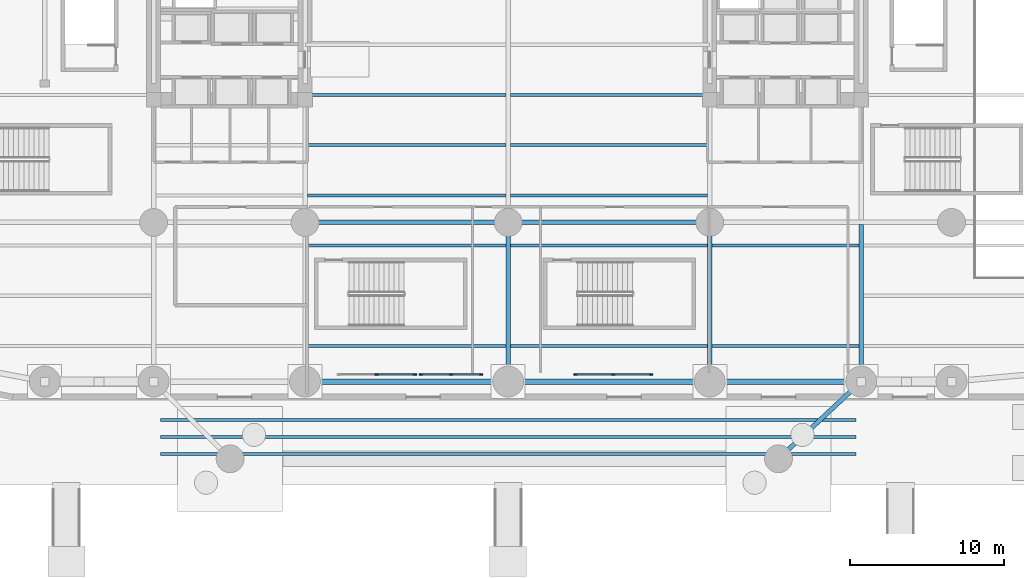
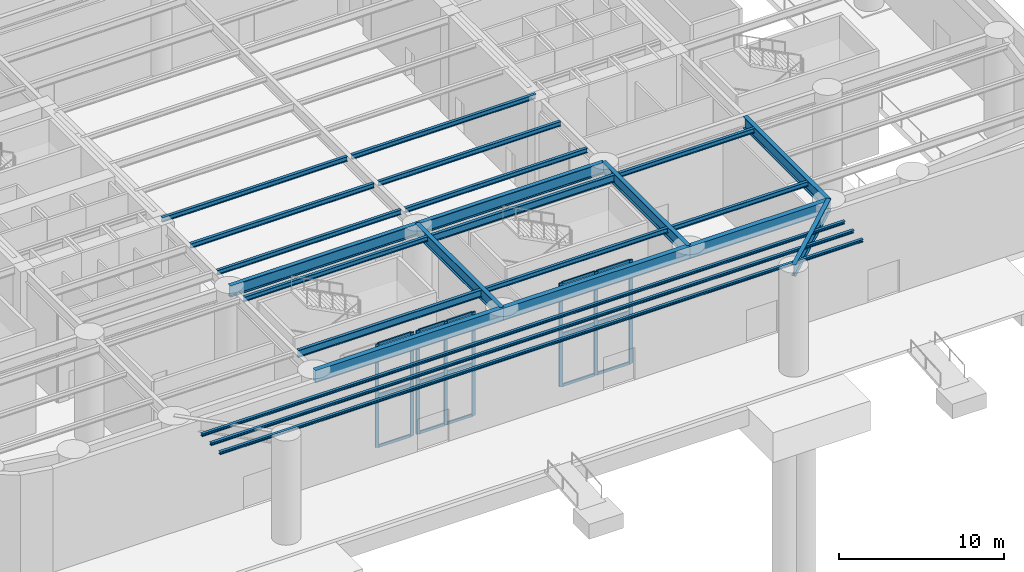
# One storey, part 3 of 25: 26 members, 21 beams, 3 elements without a shape of their own.
"""IFC4 building model written with IfcOpenShell, lengths in metres."""

from ifc_helpers import new_model, si_unit, direction, frame, origin, origin_2d, place, context, subcontext, project, spatial, rectangle, hollow_rectangle, i_section, extrude, material, material_profile, profile_set, type_object, element, aggregate, save


model = new_model("IFC4")

# Units and contexts
model_context = context("Model", 3, precision=1e-05, world=origin(), true_north=direction((0.0, 1.0)))
body_context = subcontext(model_context, "Body", "Model", "MODEL_VIEW")
ifc_project = project(units=[si_unit("LENGTHUNIT", "METRE"), si_unit("AREAUNIT", "SQUARE_METRE"), si_unit("VOLUMEUNIT", "CUBIC_METRE"), si_unit("PLANEANGLEUNIT", "RADIAN"), si_unit("MASSUNIT", "GRAM", prefix="KILO")], contexts=[model_context])

# Site, building, storey
site_placement = place(None, origin())
site = spatial("IfcSite", under=ifc_project, at=site_placement, CompositionType="ELEMENT")
building_placement = place(site_placement, origin())
building = spatial("IfcBuilding", under=site, at=building_placement, Name="Kolvaren Arena Tower", CompositionType="ELEMENT")
storey_placement = place(building_placement, origin())
storey = spatial("IfcBuildingStorey", under=building, at=storey_placement, Name="L00", CompositionType="ELEMENT", Elevation=0.0)

# Beams
ifc_material_1 = material(Name="Steel CSA G40.21 350W", Category="steel")
ifc_material_profile_1 = material_profile(ifc_material_1, i_section(OverallWidth=0.2119140625, OverallDepth=0.54296875, WebThickness=0.01318359375, FlangeThickness=0.0244140625, FilletRadius=0.013916015625, at=origin_2d()), Name="W530x150")
ifc_profile_set_1 = profile_set([ifc_material_profile_1], Name="Steel CSA G40.21 350W")
beam_type_1 = type_object("IfcBeamType", Name="BEAM-F1", PredefinedType="BEAM", material=ifc_profile_set_1)
beam_1_placement = place(storey_placement, frame((24.49609375, 3.5, 7.37841796875), z_axis=(1.0, 0.0, 0.0), x_axis=(0.0, 1.0, 0.0)))
element("IfcBeam", 1, at=beam_1_placement, inside=storey, type_object=beam_type_1, Name="Composite Floor Beam (L00)", PredefinedType="BEAM", context=body_context, shape_type="SweptSolid", body=[
    extrude(i_section(OverallWidth=0.2119140625, OverallDepth=0.54296875, WebThickness=0.01318359375, FlangeThickness=0.0244140625, FilletRadius=0.013916015625, at=origin_2d()), origin(), (0.0, 0.0, 1.0), 12.85791015625),
])
beam_2_placement = place(storey_placement, frame((37.64599609375, 10.0, 7.37841796875), z_axis=(1.0, 0.0, 0.0), x_axis=(0.0, 1.0, 0.0)))
element("IfcBeam", 2, at=beam_2_placement, inside=storey, type_object=beam_type_1, Name="Composite Floor Beam (L00)", PredefinedType="BEAM", context=body_context, shape_type="SweptSolid", body=[
    extrude(i_section(OverallWidth=0.2119140625, OverallDepth=0.54296875, WebThickness=0.01318359375, FlangeThickness=0.0244140625, FilletRadius=0.013916015625, at=origin_2d()), origin(), (0.0, 0.0, 1.0), 12.758056640625),
])

# Curtain wall, members
ifc_material_2 = material(Name="Anodised aluminium unitised curtain wall", Category="aluminium")
curtain_wall_type = type_object("IfcCurtainWallType", Name="CW-SYS-01", PredefinedType="USERDEFINED", material=ifc_material_2)
curtain_wall_1_placement = place(storey_placement, origin())
curtain_wall_1 = element("IfcCurtainWall", 3, at=curtain_wall_1_placement, inside=storey, type_object=curtain_wall_type, Name="Ground Concourse Unitised Curtain Wall (L00)", ObjectType="UNITISED CURTAIN WALL", PredefinedType="USERDEFINED")
ifc_material_3 = material(Name="Anodised aluminium 6063-T6", Category="aluminium")
ifc_material_profile_2 = material_profile(ifc_material_3, rectangle(XDim=0.10009765625, YDim=0.239990234375, at=origin_2d()), Name="ALU-100x240")
ifc_profile_set_2 = profile_set([ifc_material_profile_2], Name="Anodised aluminium 6063-T6")
member_type_1 = type_object("IfcMemberType", Name="CWM-HVY", PredefinedType="MULLION", material=ifc_profile_set_2)
member_1_placement = place(storey_placement, frame((29.0, 1.64990234375, 0.0), z_axis=(0.0, 0.0, 1.0), x_axis=(0.0, 1.0, 0.0)))
member_1 = element("IfcMember", 4, at=member_1_placement, type_object=member_type_1, Name="CW1 mullion 2", PredefinedType="MULLION", context=body_context, shape_type="SweptSolid", body=[
    extrude(rectangle(XDim=0.10009765625, YDim=0.239990234375, at=origin_2d()), origin(), (0.0, 0.0, 1.0), 7.64990234375),
])
member_2_placement = place(storey_placement, frame((31.449951171875, 1.64990234375, 0.0), z_axis=(0.0, 0.0, 1.0), x_axis=(0.0, 1.0, 0.0)))
member_2 = element("IfcMember", 5, at=member_2_placement, type_object=member_type_1, Name="CW1 mullion 3", PredefinedType="MULLION", context=body_context, shape_type="SweptSolid", body=[
    extrude(rectangle(XDim=0.10009765625, YDim=0.239990234375, at=origin_2d()), origin(), (0.0, 0.0, 1.0), 7.64990234375),
])

curtain_wall_2_placement = place(storey_placement, origin())
curtain_wall_2 = element("IfcCurtainWall", 6, at=curtain_wall_2_placement, inside=storey, type_object=curtain_wall_type, Name="Ground Concourse Unitised Curtain Wall (L00)", ObjectType="UNITISED CURTAIN WALL", PredefinedType="USERDEFINED")
member_3_placement = place(storey_placement, frame((31.85009765625, 1.64990234375, 0.0), z_axis=(0.0, 0.0, 1.0), x_axis=(0.0, 1.0, 0.0)))
member_3 = element("IfcMember", 7, at=member_3_placement, type_object=member_type_1, Name="CW1 mullion 1", PredefinedType="MULLION", context=body_context, shape_type="SweptSolid", body=[
    extrude(rectangle(XDim=0.10009765625, YDim=0.239990234375, at=origin_2d()), origin(), (0.0, 0.0, 1.0), 7.64990234375),
])
member_4_placement = place(storey_placement, frame((33.800048828125, 1.64990234375, 0.0), z_axis=(0.0, 0.0, 1.0), x_axis=(0.0, 1.0, 0.0)))
member_4 = element("IfcMember", 8, at=member_4_placement, type_object=member_type_1, Name="CW1 mullion 2", PredefinedType="MULLION", context=body_context, shape_type="SweptSolid", body=[
    extrude(rectangle(XDim=0.10009765625, YDim=0.239990234375, at=origin_2d()), origin(), (0.0, 0.0, 1.0), 7.64990234375),
])
member_5_placement = place(storey_placement, frame((35.75, 1.64990234375, 0.0), z_axis=(0.0, 0.0, 1.0), x_axis=(0.0, 1.0, 0.0)))
member_5 = element("IfcMember", 9, at=member_5_placement, type_object=member_type_1, Name="CW1 mullion 3", PredefinedType="MULLION", context=body_context, shape_type="SweptSolid", body=[
    extrude(rectangle(XDim=0.10009765625, YDim=0.239990234375, at=origin_2d()), origin(), (0.0, 0.0, 1.0), 7.64990234375),
])

curtain_wall_3_placement = place(storey_placement, origin())
curtain_wall_3 = element("IfcCurtainWall", 10, at=curtain_wall_3_placement, inside=storey, type_object=curtain_wall_type, Name="Ground Concourse Unitised Curtain Wall (L00)", ObjectType="UNITISED CURTAIN WALL", PredefinedType="USERDEFINED")
member_6_placement = place(storey_placement, frame((41.85009765625, 1.64990234375, 0.0), z_axis=(0.0, 0.0, 1.0), x_axis=(0.0, 1.0, 0.0)))
member_6 = element("IfcMember", 11, at=member_6_placement, type_object=member_type_1, Name="CW1 mullion 1", PredefinedType="MULLION", context=body_context, shape_type="SweptSolid", body=[
    extrude(rectangle(XDim=0.10009765625, YDim=0.239990234375, at=origin_2d()), origin(), (0.0, 0.0, 1.0), 7.64990234375),
])
member_7_placement = place(storey_placement, frame((44.300048828125, 1.64990234375, 0.0), z_axis=(0.0, 0.0, 1.0), x_axis=(0.0, 1.0, 0.0)))
member_7 = element("IfcMember", 12, at=member_7_placement, type_object=member_type_1, Name="CW1 mullion 2", PredefinedType="MULLION", context=body_context, shape_type="SweptSolid", body=[
    extrude(rectangle(XDim=0.10009765625, YDim=0.239990234375, at=origin_2d()), origin(), (0.0, 0.0, 1.0), 7.64990234375),
])
member_8_placement = place(storey_placement, frame((46.75, 1.64990234375, 0.0), z_axis=(0.0, 0.0, 1.0), x_axis=(0.0, 1.0, 0.0)))
member_8 = element("IfcMember", 13, at=member_8_placement, type_object=member_type_1, Name="CW1 mullion 3", PredefinedType="MULLION", context=body_context, shape_type="SweptSolid", body=[
    extrude(rectangle(XDim=0.10009765625, YDim=0.239990234375, at=origin_2d()), origin(), (0.0, 0.0, 1.0), 7.64990234375),
])

# Member
ifc_material_profile_3 = material_profile(ifc_material_3, rectangle(XDim=0.10009765625, YDim=0.199951171875, at=origin_2d()), Name="ALU-100x200")
ifc_profile_set_3 = profile_set([ifc_material_profile_3], Name="Anodised aluminium 6063-T6")
member_type_2 = type_object("IfcMemberType", Name="CWT-HVY", PredefinedType="USERDEFINED", material=ifc_profile_set_3)
member_9_placement = place(storey_placement, frame((29.050048828125, 1.64990234375, 0.050048828125), z_axis=(1.0, 0.0, 0.0), x_axis=(0.0, 1.0, 0.0)))
member_9 = element("IfcMember", 14, at=member_9_placement, type_object=member_type_2, Name="CW1 transom 2.1", ObjectType="TRANSOM", PredefinedType="USERDEFINED", context=body_context, shape_type="SweptSolid", body=[
    extrude(rectangle(XDim=0.10009765625, YDim=0.199951171875, at=origin_2d()), origin(), (0.0, 0.0, 1.0), 2.349853515625),
])

member_10_placement = place(storey_placement, frame((29.050048828125, 1.64990234375, 3.824951171875), z_axis=(1.0, 0.0, 0.0), x_axis=(0.0, 1.0, 0.0)))
member_10 = element("IfcMember", 15, at=member_10_placement, type_object=member_type_2, Name="CW1 transom 2.2", ObjectType="TRANSOM", PredefinedType="USERDEFINED", context=body_context, shape_type="SweptSolid", body=[
    extrude(rectangle(XDim=0.10009765625, YDim=0.199951171875, at=origin_2d()), origin(), (0.0, 0.0, 1.0), 2.349853515625),
])

member_11_placement = place(storey_placement, frame((29.050048828125, 1.64990234375, 7.60009765625), z_axis=(1.0, 0.0, 0.0), x_axis=(0.0, 1.0, 0.0)))
member_11 = element("IfcMember", 16, at=member_11_placement, type_object=member_type_2, Name="CW1 transom 2.3", ObjectType="TRANSOM", PredefinedType="USERDEFINED", context=body_context, shape_type="SweptSolid", body=[
    extrude(rectangle(XDim=0.10009765625, YDim=0.199951171875, at=origin_2d()), origin(), (0.0, 0.0, 1.0), 2.349853515625),
])

aggregate(curtain_wall_1, [member_1, member_2, member_9, member_10, member_11])

member_12_placement = place(storey_placement, frame((31.89990234375, 1.64990234375, 0.050048828125), z_axis=(1.0, 0.0, 0.0), x_axis=(0.0, 1.0, 0.0)))
member_12 = element("IfcMember", 17, at=member_12_placement, type_object=member_type_2, Name="CW1 transom 1.1", ObjectType="TRANSOM", PredefinedType="USERDEFINED", context=body_context, shape_type="SweptSolid", body=[
    extrude(rectangle(XDim=0.10009765625, YDim=0.199951171875, at=origin_2d()), origin(), (0.0, 0.0, 1.0), 1.85009765625),
])

member_13_placement = place(storey_placement, frame((31.89990234375, 1.64990234375, 3.824951171875), z_axis=(1.0, 0.0, 0.0), x_axis=(0.0, 1.0, 0.0)))
member_13 = element("IfcMember", 18, at=member_13_placement, type_object=member_type_2, Name="CW1 transom 1.2", ObjectType="TRANSOM", PredefinedType="USERDEFINED", context=body_context, shape_type="SweptSolid", body=[
    extrude(rectangle(XDim=0.10009765625, YDim=0.199951171875, at=origin_2d()), origin(), (0.0, 0.0, 1.0), 1.85009765625),
])

member_14_placement = place(storey_placement, frame((31.89990234375, 1.64990234375, 7.60009765625), z_axis=(1.0, 0.0, 0.0), x_axis=(0.0, 1.0, 0.0)))
member_14 = element("IfcMember", 19, at=member_14_placement, type_object=member_type_2, Name="CW1 transom 1.3", ObjectType="TRANSOM", PredefinedType="USERDEFINED", context=body_context, shape_type="SweptSolid", body=[
    extrude(rectangle(XDim=0.10009765625, YDim=0.199951171875, at=origin_2d()), origin(), (0.0, 0.0, 1.0), 1.85009765625),
])

member_15_placement = place(storey_placement, frame((33.85009765625, 1.64990234375, 0.050048828125), z_axis=(1.0, 0.0, 0.0), x_axis=(0.0, 1.0, 0.0)))
member_15 = element("IfcMember", 20, at=member_15_placement, type_object=member_type_2, Name="CW1 transom 2.1", ObjectType="TRANSOM", PredefinedType="USERDEFINED", context=body_context, shape_type="SweptSolid", body=[
    extrude(rectangle(XDim=0.10009765625, YDim=0.199951171875, at=origin_2d()), origin(), (0.0, 0.0, 1.0), 1.849853515625),
])

member_16_placement = place(storey_placement, frame((33.85009765625, 1.64990234375, 3.824951171875), z_axis=(1.0, 0.0, 0.0), x_axis=(0.0, 1.0, 0.0)))
member_16 = element("IfcMember", 21, at=member_16_placement, type_object=member_type_2, Name="CW1 transom 2.2", ObjectType="TRANSOM", PredefinedType="USERDEFINED", context=body_context, shape_type="SweptSolid", body=[
    extrude(rectangle(XDim=0.10009765625, YDim=0.199951171875, at=origin_2d()), origin(), (0.0, 0.0, 1.0), 1.849853515625),
])

member_17_placement = place(storey_placement, frame((33.85009765625, 1.64990234375, 7.60009765625), z_axis=(1.0, 0.0, 0.0), x_axis=(0.0, 1.0, 0.0)))
member_17 = element("IfcMember", 22, at=member_17_placement, type_object=member_type_2, Name="CW1 transom 2.3", ObjectType="TRANSOM", PredefinedType="USERDEFINED", context=body_context, shape_type="SweptSolid", body=[
    extrude(rectangle(XDim=0.10009765625, YDim=0.199951171875, at=origin_2d()), origin(), (0.0, 0.0, 1.0), 1.849853515625),
])

aggregate(curtain_wall_2, [member_3, member_4, member_5, member_12, member_13, member_14, member_15, member_16, member_17])

member_18_placement = place(storey_placement, frame((41.89990234375, 1.64990234375, 0.050048828125), z_axis=(1.0, 0.0, 0.0), x_axis=(0.0, 1.0, 0.0)))
member_18 = element("IfcMember", 23, at=member_18_placement, type_object=member_type_2, Name="CW1 transom 1.1", ObjectType="TRANSOM", PredefinedType="USERDEFINED", context=body_context, shape_type="SweptSolid", body=[
    extrude(rectangle(XDim=0.10009765625, YDim=0.199951171875, at=origin_2d()), origin(), (0.0, 0.0, 1.0), 2.35009765625),
])

member_19_placement = place(storey_placement, frame((41.89990234375, 1.64990234375, 3.824951171875), z_axis=(1.0, 0.0, 0.0), x_axis=(0.0, 1.0, 0.0)))
member_19 = element("IfcMember", 24, at=member_19_placement, type_object=member_type_2, Name="CW1 transom 1.2", ObjectType="TRANSOM", PredefinedType="USERDEFINED", context=body_context, shape_type="SweptSolid", body=[
    extrude(rectangle(XDim=0.10009765625, YDim=0.199951171875, at=origin_2d()), origin(), (0.0, 0.0, 1.0), 2.35009765625),
])

member_20_placement = place(storey_placement, frame((41.89990234375, 1.64990234375, 7.60009765625), z_axis=(1.0, 0.0, 0.0), x_axis=(0.0, 1.0, 0.0)))
member_20 = element("IfcMember", 25, at=member_20_placement, type_object=member_type_2, Name="CW1 transom 1.3", ObjectType="TRANSOM", PredefinedType="USERDEFINED", context=body_context, shape_type="SweptSolid", body=[
    extrude(rectangle(XDim=0.10009765625, YDim=0.199951171875, at=origin_2d()), origin(), (0.0, 0.0, 1.0), 2.35009765625),
])

member_21_placement = place(storey_placement, frame((44.35009765625, 1.64990234375, 0.050048828125), z_axis=(1.0, 0.0, 0.0), x_axis=(0.0, 1.0, 0.0)))
member_21 = element("IfcMember", 26, at=member_21_placement, type_object=member_type_2, Name="CW1 transom 2.1", ObjectType="TRANSOM", PredefinedType="USERDEFINED", context=body_context, shape_type="SweptSolid", body=[
    extrude(rectangle(XDim=0.10009765625, YDim=0.199951171875, at=origin_2d()), origin(), (0.0, 0.0, 1.0), 2.349853515625),
])

member_22_placement = place(storey_placement, frame((44.35009765625, 1.64990234375, 3.824951171875), z_axis=(1.0, 0.0, 0.0), x_axis=(0.0, 1.0, 0.0)))
member_22 = element("IfcMember", 27, at=member_22_placement, type_object=member_type_2, Name="CW1 transom 2.2", ObjectType="TRANSOM", PredefinedType="USERDEFINED", context=body_context, shape_type="SweptSolid", body=[
    extrude(rectangle(XDim=0.10009765625, YDim=0.199951171875, at=origin_2d()), origin(), (0.0, 0.0, 1.0), 2.349853515625),
])

member_23_placement = place(storey_placement, frame((44.35009765625, 1.64990234375, 7.60009765625), z_axis=(1.0, 0.0, 0.0), x_axis=(0.0, 1.0, 0.0)))
member_23 = element("IfcMember", 28, at=member_23_placement, type_object=member_type_2, Name="CW1 transom 2.3", ObjectType="TRANSOM", PredefinedType="USERDEFINED", context=body_context, shape_type="SweptSolid", body=[
    extrude(rectangle(XDim=0.10009765625, YDim=0.199951171875, at=origin_2d()), origin(), (0.0, 0.0, 1.0), 2.349853515625),
])

aggregate(curtain_wall_3, [member_6, member_7, member_8, member_18, member_19, member_20, member_21, member_22, member_23])

# Beams
ifc_material_profile_4 = material_profile(ifc_material_1, i_section(OverallWidth=0.2919921875, OverallDepth=0.85498046875, WebThickness=0.02099609375, FlangeThickness=0.03564453125, FilletRadius=0.01806640625, at=origin_2d()), Name="W840x299")
ifc_profile_set_4 = profile_set([ifc_material_profile_4], Name="Steel CSA G40.21 350W")
beam_type_2 = type_object("IfcBeamType", Name="GIRD-P1", PredefinedType="BEAM", material=ifc_profile_set_4)
beam_3_placement = place(storey_placement, frame((55.0, -3.800048828125, 7.2724609375), z_axis=(0.730607201925, 0.682798005632, 0.0), x_axis=(-0.682798005632, 0.730607201925, 0.0)))
element("IfcBeam", 29, at=beam_3_placement, inside=storey, type_object=beam_type_2, Name="Plaza Colonnade Tie Girder PF-S2", PredefinedType="BEAM", context=body_context, shape_type="SweptSolid", body=[
    extrude(i_section(OverallWidth=0.2919921875, OverallDepth=0.85498046875, WebThickness=0.02099609375, FlangeThickness=0.03564453125, FilletRadius=0.01806640625, at=origin_2d()), origin(), (0.0, 0.0, 1.0), 7.32275390625),
])
beam_4_placement = place(storey_placement, frame((24.35009765625, 11.5, 7.222412109375), z_axis=(1.0, 0.0, 0.0), x_axis=(0.0, 1.0, 0.0)))
element("IfcBeam", 30, at=beam_4_placement, inside=storey, type_object=beam_type_2, Name="Primary Floor Girder (L00)", PredefinedType="BEAM", context=body_context, shape_type="SweptSolid", body=[
    extrude(i_section(OverallWidth=0.2919921875, OverallDepth=0.85498046875, WebThickness=0.02099609375, FlangeThickness=0.03564453125, FilletRadius=0.01806640625, at=origin_2d()), origin(), (0.0, 0.0, 1.0), 13.14990234375),
])
beam_5_placement = place(storey_placement, frame((37.5, 11.5, 7.222412109375), z_axis=(1.0, 0.0, 0.0), x_axis=(0.0, 1.0, 0.0)))
element("IfcBeam", 31, at=beam_5_placement, inside=storey, type_object=beam_type_2, Name="Primary Floor Girder (L00)", PredefinedType="BEAM", context=body_context, shape_type="SweptSolid", body=[
    extrude(i_section(OverallWidth=0.2919921875, OverallDepth=0.85498046875, WebThickness=0.02099609375, FlangeThickness=0.03564453125, FilletRadius=0.01806640625, at=origin_2d()), origin(), (0.0, 0.0, 1.0), 13.050048828125),
])
for number, where, z_axis, x_axis, name in (
    (32, (37.5, 1.199951171875, 7.222412109375), (0.0, 1.0, 0.0), (-1.0, 0.0, 0.0), "Primary Floor Girder (L00)"),
    (33, (50.550048828125, 1.199951171875, 7.222412109375), (0.0, 1.0, 0.0), (-1.0, 0.0, 0.0), "Primary Floor Girder (L00)"),
):
    element("IfcBeam", number, at=place(storey_placement, frame(where, z_axis=z_axis, x_axis=x_axis)), inside=storey, type_object=beam_type_2, Name=name, PredefinedType="BEAM", context=body_context, shape_type="SweptSolid", body=[
        extrude(i_section(OverallWidth=0.2919921875, OverallDepth=0.85498046875, WebThickness=0.02099609375, FlangeThickness=0.03564453125, FilletRadius=0.01806640625, at=origin_2d()), origin(), (0.0, 0.0, 1.0), 10.300048828125),
    ])
beam_6_placement = place(storey_placement, frame((60.35009765625, 1.199951171875, 7.222412109375), z_axis=(0.0, 1.0, 0.0), x_axis=(-1.0, 0.0, 0.0)))
element("IfcBeam", 34, at=beam_6_placement, inside=storey, type_object=beam_type_2, Name="Primary Floor Girder (L00)", PredefinedType="BEAM", context=body_context, shape_type="SweptSolid", body=[
    extrude(i_section(OverallWidth=0.2919921875, OverallDepth=0.85498046875, WebThickness=0.02099609375, FlangeThickness=0.03564453125, FilletRadius=0.01806640625, at=origin_2d()), origin(), (0.0, 0.0, 1.0), 10.154052734375),
])
ifc_material_profile_5 = material_profile(ifc_material_1, i_section(OverallWidth=0.202880859375, OverallDepth=0.346923828125, WebThickness=0.0078125, FlangeThickness=0.013427734375, FilletRadius=0.010986328125, at=origin_2d()), Name="W360x64")
ifc_profile_set_5 = profile_set([ifc_material_profile_5], Name="Steel CSA G40.21 350W")
beam_type_3 = type_object("IfcBeamType", Name="JOIST-01", PredefinedType="JOIST", material=ifc_profile_set_5)
beam_7_placement = place(storey_placement, frame((37.64599609375, 3.5, 7.4765625), z_axis=(1.0, 0.0, 0.0), x_axis=(0.0, 1.0, 0.0)))
element("IfcBeam", 35, at=beam_7_placement, inside=storey, type_object=beam_type_3, Name="Composite Floor Joist (L00)", PredefinedType="JOIST", context=body_context, shape_type="SweptSolid", body=[
    extrude(i_section(OverallWidth=0.202880859375, OverallDepth=0.346923828125, WebThickness=0.0078125, FlangeThickness=0.013427734375, FilletRadius=0.010986328125, at=origin_2d()), origin(), (0.0, 0.0, 1.0), 12.758056640625),
])
beam_8_placement = place(storey_placement, frame((50.696044921875, 3.5, 7.4765625), z_axis=(1.0, 0.0, 0.0), x_axis=(0.0, 1.0, 0.0)))
element("IfcBeam", 36, at=beam_8_placement, inside=storey, type_object=beam_type_3, Name="Composite Floor Joist (L00)", PredefinedType="JOIST", context=body_context, shape_type="SweptSolid", body=[
    extrude(i_section(OverallWidth=0.202880859375, OverallDepth=0.346923828125, WebThickness=0.0078125, FlangeThickness=0.013427734375, FilletRadius=0.010986328125, at=origin_2d()), origin(), (0.0, 0.0, 1.0), 9.508056640625),
])
beam_9_placement = place(storey_placement, frame((24.49609375, 10.0, 7.4765625), z_axis=(1.0, 0.0, 0.0), x_axis=(0.0, 1.0, 0.0)))
element("IfcBeam", 37, at=beam_9_placement, inside=storey, type_object=beam_type_3, Name="Composite Floor Joist (L00)", PredefinedType="JOIST", context=body_context, shape_type="SweptSolid", body=[
    extrude(i_section(OverallWidth=0.202880859375, OverallDepth=0.346923828125, WebThickness=0.0078125, FlangeThickness=0.013427734375, FilletRadius=0.010986328125, at=origin_2d()), origin(), (0.0, 0.0, 1.0), 12.85791015625),
])
beam_10_placement = place(storey_placement, frame((50.696044921875, 10.0, 7.4765625), z_axis=(1.0, 0.0, 0.0), x_axis=(0.0, 1.0, 0.0)))
element("IfcBeam", 38, at=beam_10_placement, inside=storey, type_object=beam_type_3, Name="Composite Floor Joist (L00)", PredefinedType="JOIST", context=body_context, shape_type="SweptSolid", body=[
    extrude(i_section(OverallWidth=0.202880859375, OverallDepth=0.346923828125, WebThickness=0.0078125, FlangeThickness=0.013427734375, FilletRadius=0.010986328125, at=origin_2d()), origin(), (0.0, 0.0, 1.0), 9.508056640625),
])
beam_11_placement = place(storey_placement, frame((24.49609375, 13.25, 7.4765625), z_axis=(1.0, 0.0, 0.0), x_axis=(0.0, 1.0, 0.0)))
element("IfcBeam", 39, at=beam_11_placement, inside=storey, type_object=beam_type_3, Name="Composite Floor Joist (L00)", PredefinedType="JOIST", context=body_context, shape_type="SweptSolid", body=[
    extrude(i_section(OverallWidth=0.202880859375, OverallDepth=0.346923828125, WebThickness=0.0078125, FlangeThickness=0.013427734375, FilletRadius=0.010986328125, at=origin_2d()), origin(), (0.0, 0.0, 1.0), 12.85791015625),
])
beam_12_placement = place(storey_placement, frame((37.64599609375, 13.25, 7.4765625), z_axis=(1.0, 0.0, 0.0), x_axis=(0.0, 1.0, 0.0)))
element("IfcBeam", 40, at=beam_12_placement, inside=storey, type_object=beam_type_3, Name="Composite Floor Joist (L00)", PredefinedType="JOIST", context=body_context, shape_type="SweptSolid", body=[
    extrude(i_section(OverallWidth=0.202880859375, OverallDepth=0.346923828125, WebThickness=0.0078125, FlangeThickness=0.013427734375, FilletRadius=0.010986328125, at=origin_2d()), origin(), (0.0, 0.0, 1.0), 12.758056640625),
])
beam_13_placement = place(storey_placement, frame((24.49609375, 16.5, 7.4765625), z_axis=(1.0, 0.0, 0.0), x_axis=(0.0, 1.0, 0.0)))
element("IfcBeam", 41, at=beam_13_placement, inside=storey, type_object=beam_type_3, Name="Composite Floor Joist (L00)", PredefinedType="JOIST", context=body_context, shape_type="SweptSolid", body=[
    extrude(i_section(OverallWidth=0.202880859375, OverallDepth=0.346923828125, WebThickness=0.0078125, FlangeThickness=0.013427734375, FilletRadius=0.010986328125, at=origin_2d()), origin(), (0.0, 0.0, 1.0), 12.85791015625),
])
beam_14_placement = place(storey_placement, frame((37.64599609375, 16.5, 7.4765625), z_axis=(1.0, 0.0, 0.0), x_axis=(0.0, 1.0, 0.0)))
element("IfcBeam", 42, at=beam_14_placement, inside=storey, type_object=beam_type_3, Name="Composite Floor Joist (L00)", PredefinedType="JOIST", context=body_context, shape_type="SweptSolid", body=[
    extrude(i_section(OverallWidth=0.202880859375, OverallDepth=0.346923828125, WebThickness=0.0078125, FlangeThickness=0.013427734375, FilletRadius=0.010986328125, at=origin_2d()), origin(), (0.0, 0.0, 1.0), 12.758056640625),
])
beam_15_placement = place(storey_placement, frame((24.3701171875, 19.75, 7.4765625), z_axis=(1.0, 0.0, 0.0), x_axis=(0.0, 1.0, 0.0)))
element("IfcBeam", 43, at=beam_15_placement, inside=storey, type_object=beam_type_3, Name="Composite Floor Joist (L00)", PredefinedType="JOIST", context=body_context, shape_type="SweptSolid", body=[
    extrude(i_section(OverallWidth=0.202880859375, OverallDepth=0.346923828125, WebThickness=0.0078125, FlangeThickness=0.013427734375, FilletRadius=0.010986328125, at=origin_2d()), origin(), (0.0, 0.0, 1.0), 12.98388671875),
])
beam_16_placement = place(storey_placement, frame((37.64599609375, 19.75, 7.4765625), z_axis=(1.0, 0.0, 0.0), x_axis=(0.0, 1.0, 0.0)))
element("IfcBeam", 44, at=beam_16_placement, inside=storey, type_object=beam_type_3, Name="Composite Floor Joist (L00)", PredefinedType="JOIST", context=body_context, shape_type="SweptSolid", body=[
    extrude(i_section(OverallWidth=0.202880859375, OverallDepth=0.346923828125, WebThickness=0.0078125, FlangeThickness=0.013427734375, FilletRadius=0.010986328125, at=origin_2d()), origin(), (0.0, 0.0, 1.0), 12.884033203125),
])

# Members
ifc_material_profile_6 = material_profile(ifc_material_1, i_section(OverallWidth=0.202880859375, OverallDepth=0.202880859375, WebThickness=0.007080078125, FlangeThickness=0.010986328125, FilletRadius=0.009033203125, at=origin_2d()), Name="W200x46")
ifc_profile_set_6 = profile_set([ifc_material_profile_6], Name="Steel CSA G40.21 350W")
member_type_3 = type_object("IfcMemberType", Name="PURLIN-CN1", PredefinedType="PURLIN", material=ifc_profile_set_6)
for number, where, z_axis, x_axis, name in (
    (45, (15.0, -3.5, 7.598388671875), (1.0, 0.0, 0.0), (0.0, 1.0, 0.0), "Canopy Steel Purlin (South)"),
    (46, (15.0, -2.39990234375, 7.598388671875), (1.0, 0.0, 0.0), (0.0, 1.0, 0.0), "Canopy Steel Purlin (South)"),
    (47, (15.0, -1.300048828125, 7.598388671875), (1.0, 0.0, 0.0), (0.0, 1.0, 0.0), "Canopy Steel Purlin (South)"),
):
    element("IfcMember", number, at=place(storey_placement, frame(where, z_axis=z_axis, x_axis=x_axis)), inside=storey, type_object=member_type_3, Name=name, PredefinedType="PURLIN", context=body_context, shape_type="SweptSolid", body=[
        extrude(i_section(OverallWidth=0.202880859375, OverallDepth=0.202880859375, WebThickness=0.007080078125, FlangeThickness=0.010986328125, FilletRadius=0.009033203125, at=origin_2d()), origin(), (0.0, 0.0, 1.0), 45.0),
    ])

# Beams
ifc_material_4 = material(Name="Steel CSA G40.21 350WT", Category="steel")
ifc_material_profile_7 = material_profile(ifc_material_4, hollow_rectangle(XDim=0.35009765625, YDim=0.89990234375, WallThickness=0.02001953125, at=origin_2d()), Name="HSS 900x350x20")
ifc_profile_set_7 = profile_set([ifc_material_profile_7], Name="Steel CSA G40.21 350WT")
beam_type_4 = type_object("IfcBeamType", Name="SPAND-01", PredefinedType="SPANDREL", material=ifc_profile_set_7)
beam_17_placement = place(storey_placement, frame((24.35009765625, 1.199951171875, 7.199951171875), z_axis=(1.0, 0.0, 0.0), x_axis=(0.0, 1.0, 0.0)))
element("IfcBeam", 48, at=beam_17_placement, inside=storey, type_object=beam_type_4, Name="Perimeter Spandrel Beam (L00)", PredefinedType="SPANDREL", context=body_context, shape_type="SweptSolid", body=[
    extrude(hollow_rectangle(XDim=0.35009765625, YDim=0.89990234375, WallThickness=0.02001953125, at=origin_2d()), origin(), (0.0, 0.0, 1.0), 13.14990234375),
])
beam_18_placement = place(storey_placement, frame((37.5, 1.199951171875, 7.199951171875), z_axis=(1.0, 0.0, 0.0), x_axis=(0.0, 1.0, 0.0)))
element("IfcBeam", 49, at=beam_18_placement, inside=storey, type_object=beam_type_4, Name="Perimeter Spandrel Beam (L00)", PredefinedType="SPANDREL", context=body_context, shape_type="SweptSolid", body=[
    extrude(hollow_rectangle(XDim=0.35009765625, YDim=0.89990234375, WallThickness=0.02001953125, at=origin_2d()), origin(), (0.0, 0.0, 1.0), 13.050048828125),
])
beam_19_placement = place(storey_placement, frame((50.550048828125, 1.199951171875, 7.199951171875), z_axis=(1.0, 0.0, 0.0), x_axis=(0.0, 1.0, 0.0)))
element("IfcBeam", 50, at=beam_19_placement, inside=storey, type_object=beam_type_4, Name="Perimeter Spandrel Beam (L00)", PredefinedType="SPANDREL", context=body_context, shape_type="SweptSolid", body=[
    extrude(hollow_rectangle(XDim=0.35009765625, YDim=0.89990234375, WallThickness=0.02001953125, at=origin_2d()), origin(), (0.0, 0.0, 1.0), 9.800048828125),
])

save(model, "model.ifc")
